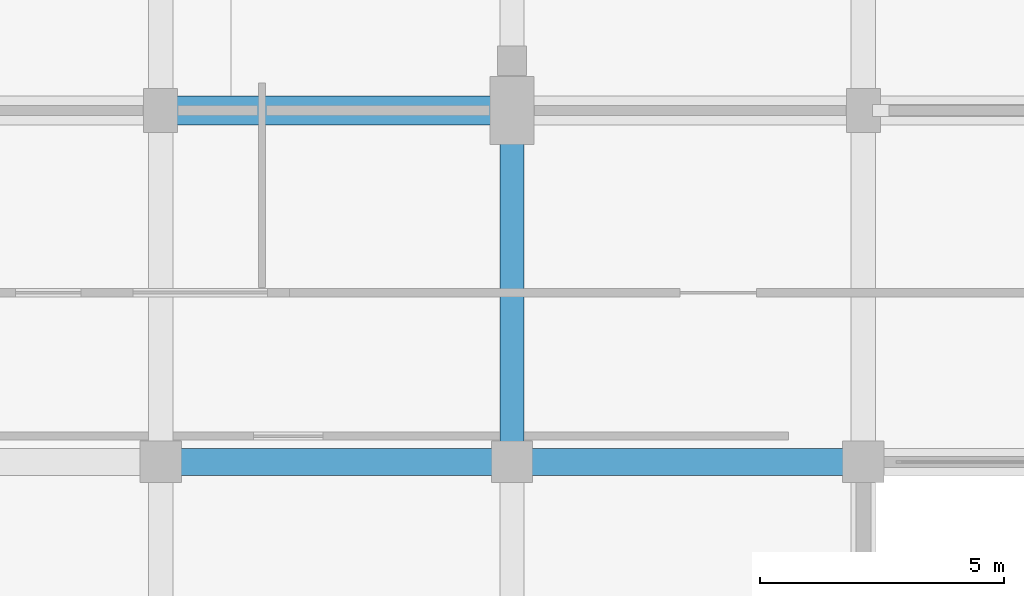
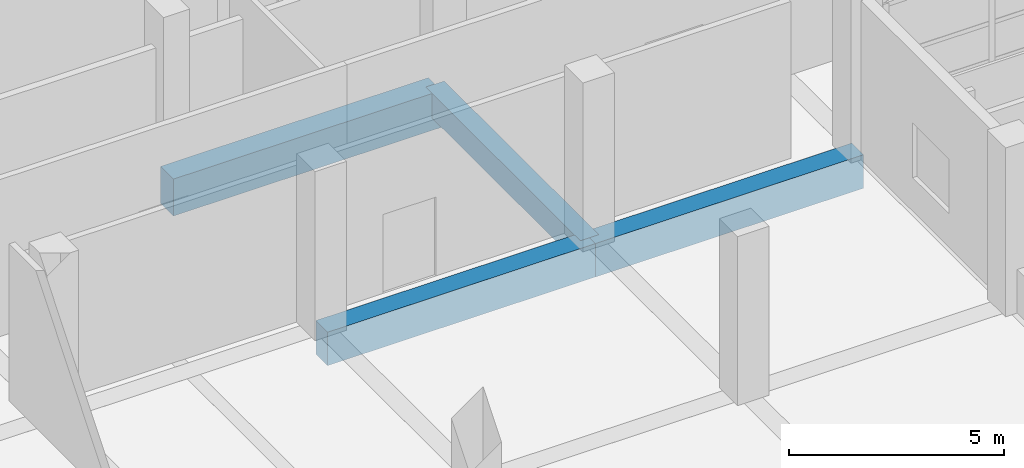
# One storey, part 93 of 181: 4 beams.
"""IFC4 building model written with IfcOpenShell, lengths in metres."""

from ifc_helpers import new_model, si_unit, direction, frame, origin, origin_2d, place, context, subcontext, project, spatial, rectangle, extrude, material, material_profile, profile_set, type_object, element, save


model = new_model("IFC4")

# Units and contexts
model_context = context("Model", 3, precision=1e-05, world=origin(), true_north=direction((0.0, 1.0)))
body_context = subcontext(model_context, "Body", "Model", "MODEL_VIEW")
ifc_project = project(units=[si_unit("LENGTHUNIT", "METRE"), si_unit("AREAUNIT", "SQUARE_METRE"), si_unit("VOLUMEUNIT", "CUBIC_METRE"), si_unit("PLANEANGLEUNIT", "RADIAN"), si_unit("MASSUNIT", "GRAM", prefix="KILO")], contexts=[model_context])

# Site, building, storey
site_placement = place(None, origin())
site = spatial("IfcSite", under=ifc_project, at=site_placement, CompositionType="ELEMENT")
building_placement = place(site_placement, origin())
building = spatial("IfcBuilding", under=site, at=building_placement, Name="Seraya Terrace Polytechnic", CompositionType="ELEMENT")
storey_placement = place(building_placement, frame((0.0, 0.0, 4.800048828125)))
storey = spatial("IfcBuildingStorey", under=building, at=storey_placement, Name="L01", CompositionType="ELEMENT", Elevation=4.800048828125)

# Beams
ifc_material = material(Name="Concrete C40/50", Category="concrete")
ifc_material_profile_1 = material_profile(ifc_material, rectangle(XDim=0.60009765625, YDim=1.050048828125, at=origin_2d()), Name="RC 600x1050")
ifc_profile_set_1 = profile_set([ifc_material_profile_1], Name="Concrete C40/50")
beam_type_1 = type_object("IfcBeamType", Name="BM-01", PredefinedType="BEAM", material=ifc_profile_set_1)
beam_1_placement = place(storey_placement, frame((93.60009765625, 79.199951171875, -0.525146484375), z_axis=(1.0, 0.0, 0.0), x_axis=(0.0, 1.0, 0.0)))
element("IfcBeam", 1, at=beam_1_placement, inside=storey, type_object=beam_type_1, Name="Beam BM-01 L01 X (93.6..100.8, 79.2)", PredefinedType="BEAM", context=body_context, shape_type="SweptSolid", body=[
    extrude(rectangle(XDim=0.60009765625, YDim=1.050048828125, at=origin_2d()), origin(), (0.0, 0.0, 1.0), 7.199951171875),
])
ifc_material_profile_2 = material_profile(ifc_material, rectangle(XDim=0.550048828125, YDim=0.949951171875, at=origin_2d()), Name="RC 550x950")
ifc_profile_set_2 = profile_set([ifc_material_profile_2], Name="Concrete C40/50")
beam_type_2 = type_object("IfcBeamType", Name="BM-03", PredefinedType="BEAM", material=ifc_profile_set_2)
for number, where, z_axis, x_axis, name in (
    (2, (93.60009765625, 72.0, -0.47509765625), (1.0, 0.0, 0.0), (0.0, 1.0, 0.0), "Beam BM-03 L01 X (93.6..100.8, 72.0)"),
    (3, (100.800048828125, 72.0, -0.47509765625), (1.0, 0.0, 0.0), (0.0, 1.0, 0.0), "Beam BM-03 L01 X (100.8..108.0, 72.0)"),
):
    element("IfcBeam", number, at=place(storey_placement, frame(where, z_axis=z_axis, x_axis=x_axis)), inside=storey, type_object=beam_type_2, Name=name, PredefinedType="BEAM", context=body_context, shape_type="SweptSolid", body=[
        extrude(rectangle(XDim=0.550048828125, YDim=0.949951171875, at=origin_2d()), origin(), (0.0, 0.0, 1.0), 7.199951171875),
    ])
ifc_material_profile_3 = material_profile(ifc_material, rectangle(XDim=0.5, YDim=0.699951171875, at=origin_2d()), Name="RC 500x700")
ifc_profile_set_3 = profile_set([ifc_material_profile_3], Name="Concrete C40/50")
beam_type_3 = type_object("IfcBeamType", Name="BM-07", PredefinedType="BEAM", material=ifc_profile_set_3)
beam_2_placement = place(storey_placement, frame((100.800048828125, 72.0, -0.35009765625), z_axis=(0.0, 1.0, 0.0), x_axis=(-1.0, 0.0, 0.0)))
element("IfcBeam", 4, at=beam_2_placement, inside=storey, type_object=beam_type_3, Name="Beam BM-07 L01 Y (100.8, 72.0..79.2)", PredefinedType="BEAM", context=body_context, shape_type="SweptSolid", body=[
    extrude(rectangle(XDim=0.5, YDim=0.699951171875, at=origin_2d()), origin(), (0.0, 0.0, 1.0), 7.199951171875),
])

save(model, "model.ifc")
